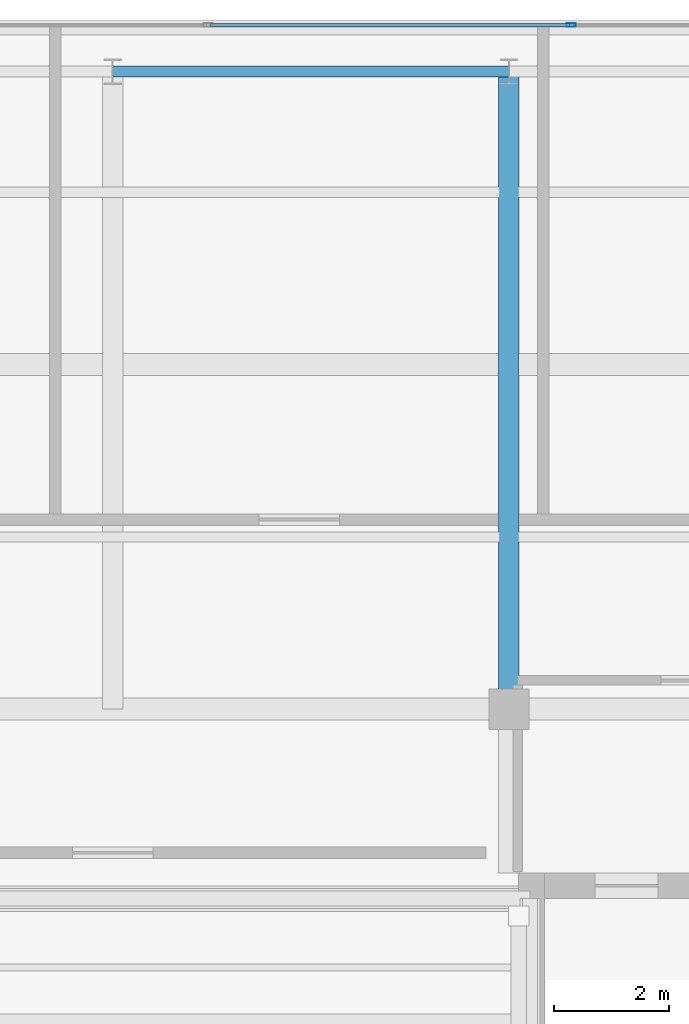
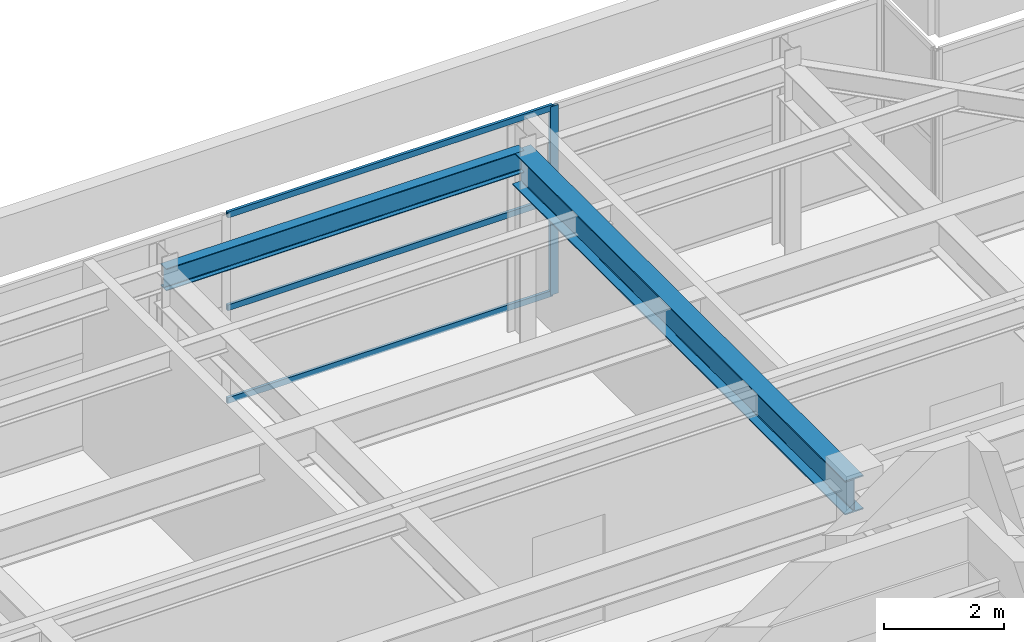
# One storey, part 26 of 33: 4 members, 2 beams, 1 element without a shape of its own.
"""IFC4 building model written with IfcOpenShell, lengths in metres."""

from ifc_helpers import new_model, si_unit, direction, frame, origin, origin_2d, place, context, subcontext, project, spatial, hollow_rectangle, i_section, extrude, source, transform, mapped, material, layer, layer_set, material_profile, profile_set, type_object, element, aggregate, save


model = new_model("IFC4")

# Units and contexts
model_context = context("Model", 3, precision=1e-05, world=origin(), true_north=direction((0.0, 1.0)))
body_context = subcontext(model_context, "Body", "Model", "MODEL_VIEW")
ifc_project = project(units=[si_unit("LENGTHUNIT", "METRE"), si_unit("AREAUNIT", "SQUARE_METRE"), si_unit("VOLUMEUNIT", "CUBIC_METRE"), si_unit("PLANEANGLEUNIT", "RADIAN"), si_unit("MASSUNIT", "GRAM", prefix="KILO")], contexts=[model_context])

# Site, building, storey
site_placement = place(None, origin())
site = spatial("IfcSite", under=ifc_project, at=site_placement, CompositionType="ELEMENT")
building_placement = place(site_placement, origin())
building = spatial("IfcBuilding", under=site, at=building_placement, Name="Khoralis Quay Care Tower", CompositionType="ELEMENT")
storey_placement = place(building_placement, frame((0.0, 0.0, 314.699951171875)))
storey = spatial("IfcBuildingStorey", under=building, at=storey_placement, Name="L82", CompositionType="ELEMENT", Elevation=314.699951171875)

# Beams
ifc_material_1 = material(Name="Steel S355", Category="steel")
ifc_material_profile_1 = material_profile(ifc_material_1, i_section(OverallWidth=0.18994140625, OverallDepth=0.449951171875, WebThickness=0.009521484375, FlangeThickness=0.0146484375, FilletRadius=0.02099609375, at=origin_2d()), Name="Steel S355")
ifc_profile_set_1 = profile_set([ifc_material_profile_1], Name="Steel S355")
beam_type_1 = type_object("IfcBeamType", Name="BM-IPE450", PredefinedType="SPANDREL", material=ifc_profile_set_1)
shared_shape_1 = source(origin(), body_context, "Body", "SweptSolid", [
    extrude(i_section(OverallWidth=0.18994140625, OverallDepth=0.449951171875, WebThickness=0.009521484375, FlangeThickness=0.0146484375, FilletRadius=0.02099609375, at=origin_2d()), origin(), (0.0, 0.0, 1.0), 6.89990234375),
])
beam_1_placement = place(storey_placement, frame((24.0, 41.10009765625, 3.614990234375), z_axis=(1.0, 0.0, 0.0), x_axis=(0.0, 1.0, 0.0)))
element("IfcBeam", 1, at=beam_1_placement, inside=storey, type_object=beam_type_1, Name="BM-TSP-L82-07", PredefinedType="SPANDREL", context=body_context, shape_type="MappedRepresentation", body=[
    mapped(shared_shape_1, transform((0.0, 0.0, 0.0), scale=1.0)),
])
ifc_material_profile_2 = material_profile(ifc_material_1, i_section(OverallWidth=0.35498046875, OverallDepth=0.695068359375, WebThickness=0.015380859375, FlangeThickness=0.02490234375, FilletRadius=0.02001953125, at=origin_2d()), Name="Steel S355")
ifc_profile_set_2 = profile_set([ifc_material_profile_2], Name="Steel S355")
beam_type_2 = type_object("IfcBeamType", Name="BM-W690X217", PredefinedType="BEAM", material=ifc_profile_set_2)
shared_shape_2 = source(origin(), body_context, "Body", "SweptSolid", [
    extrude(i_section(OverallWidth=0.35498046875, OverallDepth=0.695068359375, WebThickness=0.015380859375, FlangeThickness=0.02490234375, FilletRadius=0.02001953125, at=origin_2d()), origin(), (0.0, 0.0, 1.0), 11.10009765625),
])
beam_2_placement = place(storey_placement, frame((30.89990234375, 30.0, 3.492431640625), z_axis=(0.0, 1.0, 0.0), x_axis=(-1.0, 0.0, 0.0)))
element("IfcBeam", 2, at=beam_2_placement, inside=storey, type_object=beam_type_2, Name="BM-TGYN-L82-309", PredefinedType="BEAM", context=body_context, shape_type="MappedRepresentation", body=[
    mapped(shared_shape_2, transform((0.0, 0.0, 0.0), scale=1.0)),
])

# Curtain wall, members
ifc_material_2 = material(Name="Pale anodised aluminium", Category="aluminium")
ifc_layer = layer(ifc_material_2, 0.199951171875)
ifc_layer_set = layer_set([ifc_layer], Name="Pale anodised aluminium")
curtain_wall_type = type_object("IfcCurtainWallType", Name="CW-SYS-LANTERN", PredefinedType="NOTDEFINED", material=ifc_layer_set)
curtain_wall_placement = place(storey_placement, origin())
curtain_wall = element("IfcCurtainWall", 3, at=curtain_wall_placement, inside=storey, type_object=curtain_wall_type, Name="L82 Unitised Curtain Wall CW-LN-L82-11", PredefinedType="NOTDEFINED")
ifc_material_profile_3 = material_profile(ifc_material_2, hollow_rectangle(XDim=0.054931640625, YDim=0.1201171875, WallThickness=0.00390625, at=origin_2d()), Name="Pale anodised aluminium")
ifc_profile_set_3 = profile_set([ifc_material_profile_3], Name="Pale anodised aluminium")
member_type_1 = type_object("IfcMemberType", Name="CW-TRN-120", PredefinedType="USERDEFINED", material=ifc_profile_set_3)
shared_shape_3 = source(origin(), body_context, "Body", "SweptSolid", [
    extrude(hollow_rectangle(XDim=0.054931640625, YDim=0.1201171875, WallThickness=0.00390625, at=origin_2d()), origin(), (0.0, 0.0, 1.0), 6.26416015625),
])
member_1_placement = place(storey_placement, frame((31.9560546875, 41.909912109375, 0.030029296875), z_axis=(-1.0, 0.0, 0.0), x_axis=(0.0, -1.0, 0.0)))
member_1 = element("IfcMember", 4, at=member_1_placement, type_object=member_type_1, Name="CW5 transom 2.1", ObjectType="TRANSOM", PredefinedType="USERDEFINED", context=body_context, shape_type="MappedRepresentation", body=[
    mapped(shared_shape_3, transform((0.0, 0.0, 0.0), scale=1.0)),
])
member_2_placement = place(storey_placement, frame((31.9560546875, 41.909912109375, 1.920166015625), z_axis=(-1.0, 0.0, 0.0), x_axis=(0.0, -1.0, 0.0)))
member_2 = element("IfcMember", 5, at=member_2_placement, type_object=member_type_1, Name="CW5 transom 2.2", ObjectType="TRANSOM", PredefinedType="USERDEFINED", context=body_context, shape_type="MappedRepresentation", body=[
    mapped(shared_shape_3, transform((0.0, 0.0, 0.0), scale=1.0)),
])
member_3_placement = place(storey_placement, frame((31.9560546875, 41.909912109375, 3.81005859375), z_axis=(-1.0, 0.0, 0.0), x_axis=(0.0, -1.0, 0.0)))
member_3 = element("IfcMember", 6, at=member_3_placement, type_object=member_type_1, Name="CW5 transom 2.3", ObjectType="TRANSOM", PredefinedType="USERDEFINED", context=body_context, shape_type="MappedRepresentation", body=[
    mapped(shared_shape_3, transform((0.0, 0.0, 0.0), scale=1.0)),
])
ifc_material_profile_4 = material_profile(ifc_material_2, hollow_rectangle(XDim=0.06005859375, YDim=0.159912109375, WallThickness=0.00390625, at=origin_2d()), Name="Pale anodised aluminium")
ifc_profile_set_4 = profile_set([ifc_material_profile_4], Name="Pale anodised aluminium")
member_type_2 = type_object("IfcMemberType", Name="CW-MUL-160", PredefinedType="MULLION", material=ifc_profile_set_4)
shared_shape_4 = source(origin(), body_context, "Body", "SweptSolid", [
    extrude(hollow_rectangle(XDim=0.06005859375, YDim=0.159912109375, WallThickness=0.00390625, at=origin_2d()), origin(), (0.0, 0.0, 1.0), 3.840087890625),
])
member_4_placement = place(storey_placement, frame((31.986083984375, 41.909912109375, 0.0), z_axis=(0.0, 0.0, 1.0), x_axis=(0.0, -1.0, 0.0)))
member_4 = element("IfcMember", 7, at=member_4_placement, type_object=member_type_2, Name="CW5 mullion 2", PredefinedType="MULLION", context=body_context, shape_type="MappedRepresentation", body=[
    mapped(shared_shape_4, transform((0.0, 0.0, 0.0), scale=1.0)),
])
aggregate(curtain_wall, [member_4, member_1, member_2, member_3])

save(model, "model.ifc")
